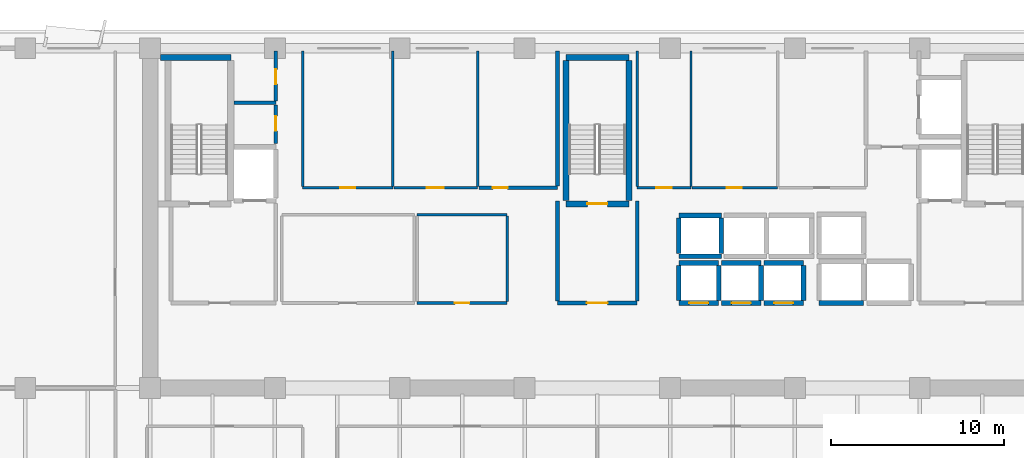
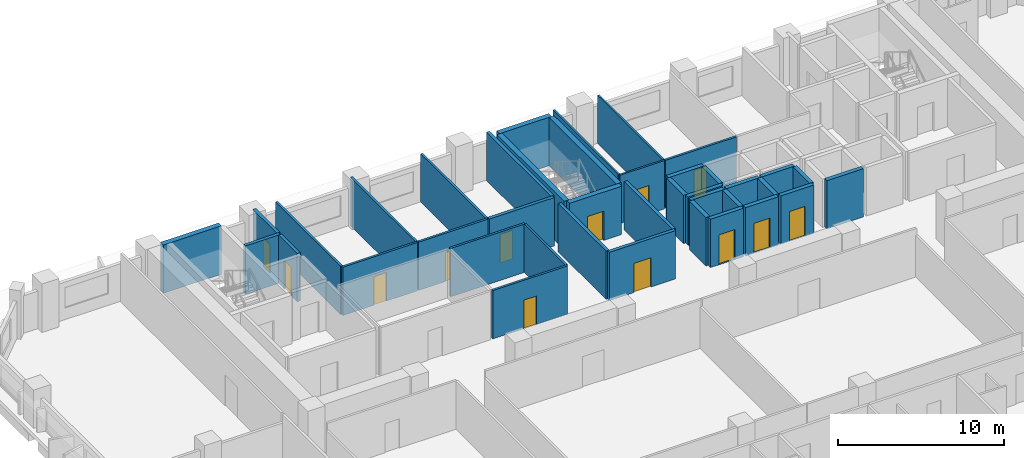
# One storey, part 7 of 15: 40 walls, 13 doors, 13 openings.
"""IFC4 building model written with IfcOpenShell, lengths in metres."""

from ifc_helpers import new_model, si_unit, direction, frame, frame_2d, origin, place, context, subcontext, project, spatial, rectangle, extrude, material, layer, layer_set, type_object, element, fill, save


model = new_model("IFC4")

# Units and contexts
model_context = context("Model", 3, precision=1e-05, world=origin(), true_north=direction((0.0, 1.0)))
body_context = subcontext(model_context, "Body", "Model", "MODEL_VIEW")
ifc_project = project(units=[si_unit("LENGTHUNIT", "METRE"), si_unit("AREAUNIT", "SQUARE_METRE"), si_unit("VOLUMEUNIT", "CUBIC_METRE"), si_unit("PLANEANGLEUNIT", "RADIAN"), si_unit("MASSUNIT", "GRAM", prefix="KILO")], contexts=[model_context])

# Site, building, storey
site_placement = place(None, origin())
site = spatial("IfcSite", under=ifc_project, at=site_placement, CompositionType="ELEMENT")
building_placement = place(site_placement, origin())
building = spatial("IfcBuilding", under=site, at=building_placement, Name="Kaelvorn Grand Hotel", CompositionType="ELEMENT")
storey_placement = place(building_placement, frame((0.0, 0.0, 150.550048828125)))
storey = spatial("IfcBuildingStorey", under=building, at=storey_placement, Name="L36", CompositionType="ELEMENT", Elevation=150.550048828125)

# Wall, opening, door
ifc_material_1 = material(Name="Moisture-Resistant Tile & Stud Board")
ifc_layer_1 = layer(ifc_material_1, 0.125)
ifc_layer_set_1 = layer_set([ifc_layer_1], Name="Moisture-Resistant Tile & Stud Board")
wall_type_1 = type_object("IfcWallType", Name="WL-PART-125-WET", PredefinedType="PARTITIONING", material=ifc_layer_set_1)
wall_1_placement = place(storey_placement, frame((44.300048828125, 40.949951171875, 0.0), z_axis=(0.0, 0.0, 1.0), x_axis=(1.0, 0.0, 0.0)))
wall_1 = element("IfcWall", 1, at=wall_1_placement, inside=storey, type_object=wall_type_1, Name="L36 Accessible WC S Partition", PredefinedType="PARTITIONING", context=body_context, shape_type="SweptSolid", body=[
    extrude(rectangle(XDim=3.099853515625, YDim=0.125, at=frame_2d((1.5498046875, 0.0))), origin(), (0.0, 0.0, 1.0), 3.56005859375),
])
opening_1_placement = place(wall_1_placement, frame((1.10009765625, 0.0, 0.0)))
opening_1 = element("IfcOpeningElement", 2, at=opening_1_placement, cuts=wall_1, Name="Opening DI4", PredefinedType="OPENING", context=body_context, shape_type="SweptSolid", body=[
    extrude(rectangle(XDim=0.89990234375, YDim=2.10009765625, at=frame_2d((0.449951171875, 1.050048828125))), frame((0.0, 0.072509765625, 0.0), z_axis=(0.0, -1.0, 0.0), x_axis=(1.0, 0.0, 0.0)), (0.0, 0.0, 1.0), 0.14501953125),
])
ifc_material_2 = material(Name="Timber Veneer Leaf", Category="wood")
door_type_1 = type_object("IfcDoorType", Name="DR-INT-BATH-900x2100", OperationType="NOTDEFINED", PredefinedType="DOOR", material=ifc_material_2)
door_1_placement = place(opening_1_placement, origin())
door_1 = element("IfcDoor", 3, at=door_1_placement, inside=storey, type_object=door_type_1, Name="L36 Accessible WC Door", OperationType="SINGLE_SWING_LEFT", OverallHeight=2.10009765625, OverallWidth=0.89990234375, PredefinedType="DOOR", context=body_context, shape_type="SweptSolid", body=[
    extrude(rectangle(XDim=0.89990234375, YDim=2.10009765625, at=frame_2d((0.449951171875, 1.050048828125))), frame((0.0, 0.02490234375, 0.0), z_axis=(0.0, -1.0, 0.0), x_axis=(1.0, 0.0, 0.0)), (0.0, 0.0, 1.0), 0.050048828125),
])
fill(opening_1, door_1)

# Walls
for number, where, z_axis, x_axis, name in (
    (4, (44.300048828125, 41.017578125, 0.0), (0.0, 0.0, 1.0), (0.0, 1.0, 0.0), "L36 Accessible WC W Partition"),
    (5, (47.39990234375, 41.017578125, 0.0), (0.0, 0.0, 1.0), (0.0, 1.0, 0.0), "L36 Accessible WC E Partition"),
):
    element("IfcWall", number, at=place(storey_placement, frame(where, z_axis=z_axis, x_axis=x_axis)), inside=storey, type_object=wall_type_1, Name=name, PredefinedType="PARTITIONING", context=body_context, shape_type="SweptSolid", body=[
        extrude(rectangle(XDim=7.83251953125, YDim=0.125, at=frame_2d((3.916259765625, 0.0))), origin(), (0.0, 0.0, 1.0), 3.56005859375),
    ])

# Wall, opening, door
ifc_material_3 = material(Name="Acoustic Gypsum & Stud Partition")
ifc_layer_2 = layer(ifc_material_3, 0.14990234375)
ifc_layer_set_2 = layer_set([ifc_layer_2], Name="Acoustic Gypsum & Stud Partition")
wall_type_2 = type_object("IfcWallType", Name="WL-PART-150-EI60", PredefinedType="PARTITIONING", material=ifc_layer_set_2)
wall_2_placement = place(storey_placement, frame((31.60009765625, 34.300048828125, 0.0), z_axis=(0.0, 0.0, 1.0), x_axis=(1.0, 0.0, 0.0)))
wall_2 = element("IfcWall", 6, at=wall_2_placement, inside=storey, type_object=wall_type_2, Name="L36 Core Telecoms & BMS Server Room S Partition", PredefinedType="PARTITIONING", context=body_context, shape_type="SweptSolid", body=[
    extrude(rectangle(XDim=5.199951171875, YDim=0.14990234375, at=frame_2d((2.60009765625, 0.0))), origin(), (0.0, 0.0, 1.0), 3.56005859375),
])
opening_2_placement = place(wall_2_placement, frame((2.175048828125, 0.0, 0.0)))
opening_2 = element("IfcOpeningElement", 7, at=opening_2_placement, cuts=wall_2, Name="Opening DI7", PredefinedType="OPENING", context=body_context, shape_type="SweptSolid", body=[
    extrude(rectangle(XDim=0.85009765625, YDim=2.10009765625, at=frame_2d((0.425048828125, 1.050048828125))), frame((0.0, 0.0849609375, 0.0), z_axis=(0.0, -1.0, 0.0), x_axis=(1.0, 0.0, 0.0)), (0.0, 0.0, 1.0), 0.169921875),
])
ifc_material_4 = material(Name="Powder-Coated Steel Leaf", Category="steel")
door_type_2 = type_object("IfcDoorType", Name="DR-INT-RISER-850x2100", OperationType="NOTDEFINED", PredefinedType="DOOR", material=ifc_material_4)
door_2_placement = place(opening_2_placement, origin())
door_2 = element("IfcDoor", 8, at=door_2_placement, inside=storey, type_object=door_type_2, Name="L36 Core Telecoms & BMS Server Room Door", OperationType="SINGLE_SWING_RIGHT", OverallHeight=2.10009765625, OverallWidth=0.85009765625, PredefinedType="DOOR", context=body_context, shape_type="SweptSolid", body=[
    extrude(rectangle(XDim=0.85009765625, YDim=2.10009765625, at=frame_2d((0.425048828125, 1.050048828125))), frame((0.0, 0.02490234375, 0.0), z_axis=(0.0, -1.0, 0.0), x_axis=(1.0, 0.0, 0.0)), (0.0, 0.0, 1.0), 0.050048828125),
])
fill(opening_2, door_2)

# Walls
wall_3_placement = place(storey_placement, frame((31.60009765625, 39.39990234375, 0.0), z_axis=(0.0, 0.0, 1.0), x_axis=(1.0, 0.0, 0.0)))
element("IfcWall", 9, at=wall_3_placement, inside=storey, type_object=wall_type_2, Name="L36 Core Telecoms & BMS Server Room N Partition", PredefinedType="PARTITIONING", context=body_context, shape_type="SweptSolid", body=[
    extrude(rectangle(XDim=5.199951171875, YDim=0.14990234375, at=frame_2d((2.60009765625, 0.0))), origin(), (0.0, 0.0, 1.0), 3.56005859375),
])
wall_4_placement = place(storey_placement, frame((36.800048828125, 34.3798828125, 0.0), z_axis=(0.0, 0.0, 1.0), x_axis=(0.0, 1.0, 0.0)))
element("IfcWall", 10, at=wall_4_placement, inside=storey, type_object=wall_type_2, Name="L36 Core Telecoms & BMS Server Room E Partition", PredefinedType="PARTITIONING", context=body_context, shape_type="SweptSolid", body=[
    extrude(rectangle(XDim=4.940185546875, YDim=0.14990234375, at=frame_2d((2.47021484375, 0.0))), origin(), (0.0, 0.0, 1.0), 3.56005859375),
])

# Wall, opening, door
wall_5_placement = place(storey_placement, frame((25.0, 40.949951171875, 0.0), z_axis=(0.0, 0.0, 1.0), x_axis=(1.0, 0.0, 0.0)))
wall_5 = element("IfcWall", 11, at=wall_5_placement, inside=storey, type_object=wall_type_2, Name="L36 Housekeeping & Linen Room S Partition", PredefinedType="PARTITIONING", context=body_context, shape_type="SweptSolid", body=[
    extrude(rectangle(XDim=5.199951171875, YDim=0.14990234375, at=frame_2d((2.60009765625, 0.0))), origin(), (0.0, 0.0, 1.0), 3.56005859375),
])
opening_3_placement = place(wall_5_placement, frame((2.175048828125, 0.0, 0.0)))
opening_3 = element("IfcOpeningElement", 12, at=opening_3_placement, cuts=wall_5, Name="Opening DI7", PredefinedType="OPENING", context=body_context, shape_type="SweptSolid", body=[
    extrude(rectangle(XDim=0.85009765625, YDim=2.10009765625, at=frame_2d((0.425048828125, 1.050048828125))), frame((0.0, 0.0849609375, 0.0), z_axis=(0.0, -1.0, 0.0), x_axis=(1.0, 0.0, 0.0)), (0.0, 0.0, 1.0), 0.169921875),
])
door_3_placement = place(opening_3_placement, origin())
door_3 = element("IfcDoor", 13, at=door_3_placement, inside=storey, type_object=door_type_2, Name="L36 Housekeeping & Linen Room Door", OperationType="SINGLE_SWING_RIGHT", OverallHeight=2.10009765625, OverallWidth=0.85009765625, PredefinedType="DOOR", context=body_context, shape_type="SweptSolid", body=[
    extrude(rectangle(XDim=0.85009765625, YDim=2.10009765625, at=frame_2d((0.425048828125, 1.050048828125))), frame((0.0, 0.02490234375, 0.0), z_axis=(0.0, -1.0, 0.0), x_axis=(1.0, 0.0, 0.0)), (0.0, 0.0, 1.0), 0.050048828125),
])
fill(opening_3, door_3)

# Walls
for number, where, z_axis, x_axis, name in (
    (14, (25.0, 41.030029296875, 0.0), (0.0, 0.0, 1.0), (0.0, 1.0, 0.0), "L36 Housekeeping & Linen Room W Partition"),
    (15, (30.199951171875, 41.030029296875, 0.0), (0.0, 0.0, 1.0), (0.0, 1.0, 0.0), "L36 Housekeeping & Linen Room E Partition"),
):
    element("IfcWall", number, at=place(storey_placement, frame(where, z_axis=z_axis, x_axis=x_axis)), inside=storey, type_object=wall_type_2, Name=name, PredefinedType="PARTITIONING", context=body_context, shape_type="SweptSolid", body=[
        extrude(rectangle(XDim=7.820068359375, YDim=0.14990234375, at=frame_2d((3.91015625, 0.0))), origin(), (0.0, 0.0, 1.0), 3.56005859375),
    ])

# Wall, opening, door
wall_6_placement = place(storey_placement, frame((30.280029296875, 40.949951171875, 0.0), z_axis=(0.0, 0.0, 1.0), x_axis=(1.0, 0.0, 0.0)))
wall_6 = element("IfcWall", 16, at=wall_6_placement, inside=storey, type_object=wall_type_2, Name="L36 Room Service Servery Pantry S Partition", PredefinedType="PARTITIONING", context=body_context, shape_type="SweptSolid", body=[
    extrude(rectangle(XDim=4.820068359375, YDim=0.14990234375, at=frame_2d((2.41015625, 0.0))), origin(), (0.0, 0.0, 1.0), 3.56005859375),
])
opening_4_placement = place(wall_6_placement, frame((1.8701171875, 0.0, 0.0)))
opening_4 = element("IfcOpeningElement", 17, at=opening_4_placement, cuts=wall_6, Name="Opening DI3", PredefinedType="OPENING", context=body_context, shape_type="SweptSolid", body=[
    extrude(rectangle(XDim=1.0, YDim=2.14990234375, at=frame_2d((0.5, 1.074951171875))), frame((0.0, 0.0849609375, 0.0), z_axis=(0.0, -1.0, 0.0), x_axis=(1.0, 0.0, 0.0)), (0.0, 0.0, 1.0), 0.169921875),
])
ifc_material_5 = material(Name="Timber Veneer Fire Leaf", Category="wood")
door_type_3 = type_object("IfcDoorType", Name="DR-INT-GUEST-1000x2150", OperationType="NOTDEFINED", PredefinedType="DOOR", material=ifc_material_5)
door_4_placement = place(opening_4_placement, origin())
door_4 = element("IfcDoor", 18, at=door_4_placement, inside=storey, type_object=door_type_3, Name="L36 Room Service Servery Pantry Door", OperationType="SINGLE_SWING_LEFT", OverallHeight=2.14990234375, OverallWidth=1.0, PredefinedType="DOOR", context=body_context, shape_type="SweptSolid", body=[
    extrude(rectangle(XDim=1.0, YDim=2.14990234375, at=frame_2d((0.5, 1.074951171875))), frame((0.0, 0.02490234375, 0.0), z_axis=(0.0, -1.0, 0.0), x_axis=(1.0, 0.0, 0.0)), (0.0, 0.0, 1.0), 0.050048828125),
])
fill(opening_4, door_4)

# Wall
wall_7_placement = place(storey_placement, frame((35.10009765625, 41.030029296875, 0.0), z_axis=(0.0, 0.0, 1.0), x_axis=(0.0, 1.0, 0.0)))
element("IfcWall", 19, at=wall_7_placement, inside=storey, type_object=wall_type_2, Name="L36 Room Service Servery Pantry E Partition", PredefinedType="PARTITIONING", context=body_context, shape_type="SweptSolid", body=[
    extrude(rectangle(XDim=7.820068359375, YDim=0.14990234375, at=frame_2d((3.91015625, 0.0))), origin(), (0.0, 0.0, 1.0), 3.56005859375),
])

# Wall, opening, door
wall_8_placement = place(storey_placement, frame((47.467529296875, 40.949951171875, 0.0), z_axis=(0.0, 0.0, 1.0), x_axis=(1.0, 0.0, 0.0)))
wall_8 = element("IfcWall", 20, at=wall_8_placement, inside=storey, type_object=wall_type_2, Name="L36 Valet & Luggage Store S Partition", PredefinedType="PARTITIONING", context=body_context, shape_type="SweptSolid", body=[
    extrude(rectangle(XDim=4.932373046875, YDim=0.14990234375, at=frame_2d((2.46630859375, 0.0))), origin(), (0.0, 0.0, 1.0), 3.56005859375),
])
opening_5_placement = place(wall_8_placement, frame((2.007568359375, 0.0, 0.0)))
opening_5 = element("IfcOpeningElement", 21, at=opening_5_placement, cuts=wall_8, Name="Opening DI7", PredefinedType="OPENING", context=body_context, shape_type="SweptSolid", body=[
    extrude(rectangle(XDim=0.85009765625, YDim=2.10009765625, at=frame_2d((0.425048828125, 1.050048828125))), frame((0.0, 0.0849609375, 0.0), z_axis=(0.0, -1.0, 0.0), x_axis=(1.0, 0.0, 0.0)), (0.0, 0.0, 1.0), 0.169921875),
])
door_5_placement = place(opening_5_placement, origin())
door_5 = element("IfcDoor", 22, at=door_5_placement, inside=storey, type_object=door_type_2, Name="L36 Valet & Luggage Store Door", OperationType="SINGLE_SWING_RIGHT", OverallHeight=2.10009765625, OverallWidth=0.85009765625, PredefinedType="DOOR", context=body_context, shape_type="SweptSolid", body=[
    extrude(rectangle(XDim=0.85009765625, YDim=2.10009765625, at=frame_2d((0.425048828125, 1.050048828125))), frame((0.0, 0.02490234375, 0.0), z_axis=(0.0, -1.0, 0.0), x_axis=(1.0, 0.0, 0.0)), (0.0, 0.0, 1.0), 0.050048828125),
])
fill(opening_5, door_5)

ifc_material_6 = material(Name="Concrete C40/50", Category="concrete")
ifc_layer_3 = layer(ifc_material_6, 0.219970703125)
ifc_layer_set_3 = layer_set([ifc_layer_3], Name="Concrete C40/50")
wall_type_3 = type_object("IfcWallType", Name="WL-PART-220-EI120", PredefinedType="PARTITIONING", material=ifc_layer_set_3)
wall_9_placement = place(storey_placement, frame((39.699951171875, 34.300048828125, 0.0), z_axis=(0.0, 0.0, 1.0), x_axis=(1.0, 0.0, 0.0)))
wall_9 = element("IfcWall", 23, at=wall_9_placement, inside=storey, type_object=wall_type_3, Name="L36 Central Stair Escape Vestibule S Partition", PredefinedType="PARTITIONING", context=body_context, shape_type="SweptSolid", body=[
    extrude(rectangle(XDim=4.60009765625, YDim=0.219970703125, at=frame_2d((2.300048828125, 0.0))), origin(), (0.0, 0.0, 1.0), 3.56005859375),
])
opening_6_placement = place(wall_9_placement, frame((1.699951171875, 0.0, 0.0)))
opening_6 = element("IfcOpeningElement", 24, at=opening_6_placement, cuts=wall_9, Name="Opening DI2", PredefinedType="OPENING", context=body_context, shape_type="SweptSolid", body=[
    extrude(rectangle(XDim=1.199951171875, YDim=2.14990234375, at=frame_2d((0.60009765625, 1.074951171875))), frame((0.0, 0.1201171875, 0.0), z_axis=(0.0, -1.0, 0.0), x_axis=(1.0, 0.0, 0.0)), (0.0, 0.0, 1.0), 0.239990234375),
])
door_type_4 = type_object("IfcDoorType", Name="DR-INT-FFLOB-1200x2150", OperationType="NOTDEFINED", PredefinedType="DOOR", material=ifc_material_5)
door_6_placement = place(opening_6_placement, origin())
door_6 = element("IfcDoor", 25, at=door_6_placement, inside=storey, type_object=door_type_4, Name="L36 Central Stair Escape Vestibule Door", OperationType="SINGLE_SWING_RIGHT", OverallHeight=2.14990234375, OverallWidth=1.199951171875, PredefinedType="DOOR", context=body_context, shape_type="SweptSolid", body=[
    extrude(rectangle(XDim=1.199951171875, YDim=2.14990234375, at=frame_2d((0.60009765625, 1.074951171875))), frame((0.0, 0.02490234375, 0.0), z_axis=(0.0, -1.0, 0.0), x_axis=(1.0, 0.0, 0.0)), (0.0, 0.0, 1.0), 0.050048828125),
])
fill(opening_6, door_6)

# Walls
for number, where, z_axis, x_axis, name in (
    (26, (39.699951171875, 34.4150390625, 0.0), (0.0, 0.0, 1.0), (0.0, 1.0, 0.0), "L36 Central Stair Escape Vestibule W Partition"),
    (27, (44.300048828125, 34.4150390625, 0.0), (0.0, 0.0, 1.0), (0.0, 1.0, 0.0), "L36 Central Stair Escape Vestibule E Partition"),
):
    element("IfcWall", number, at=place(storey_placement, frame(where, z_axis=z_axis, x_axis=x_axis)), inside=storey, type_object=wall_type_3, Name=name, PredefinedType="PARTITIONING", context=body_context, shape_type="SweptSolid", body=[
        extrude(rectangle(XDim=5.784912109375, YDim=0.219970703125, at=frame_2d((2.892578125, 0.0))), origin(), (0.0, 0.0, 1.0), 3.56005859375),
    ])
wall_10_placement = place(storey_placement, frame((21.034912109375, 45.85009765625, 0.0), z_axis=(0.0, 0.0, 1.0), x_axis=(1.0, 0.0, 0.0)))
element("IfcWall", 28, at=wall_10_placement, inside=storey, type_object=wall_type_3, Name="L36 Wet Fire & Plumbing Riser Shaft N Partition", PredefinedType="PARTITIONING", context=body_context, shape_type="SweptSolid", body=[
    extrude(rectangle(XDim=2.4150390625, YDim=0.219970703125, at=frame_2d((1.20751953125, 0.0))), origin(), (0.0, 0.0, 1.0), 3.56005859375),
])

# Wall, opening, door
wall_11_placement = place(storey_placement, frame((23.449951171875, 43.5, 0.0), z_axis=(0.0, 0.0, 1.0), x_axis=(0.0, 1.0, 0.0)))
wall_11 = element("IfcWall", 29, at=wall_11_placement, inside=storey, type_object=wall_type_3, Name="L36 Wet Fire & Plumbing Riser Shaft E Partition", PredefinedType="PARTITIONING", context=body_context, shape_type="SweptSolid", body=[
    extrude(rectangle(XDim=2.235107421875, YDim=0.219970703125, at=frame_2d((1.11767578125, 0.0))), origin(), (0.0, 0.0, 1.0), 3.56005859375),
])
opening_7_placement = place(wall_11_placement, frame((0.72509765625, 0.0, 0.0)))
opening_7 = element("IfcOpeningElement", 30, at=opening_7_placement, cuts=wall_11, Name="Opening DI7", PredefinedType="OPENING", context=body_context, shape_type="SweptSolid", body=[
    extrude(rectangle(XDim=0.85009765625, YDim=2.10009765625, at=frame_2d((0.425048828125, 1.050048828125))), frame((0.0, 0.1201171875, 0.0), z_axis=(0.0, -1.0, 0.0), x_axis=(1.0, 0.0, 0.0)), (0.0, 0.0, 1.0), 0.239990234375),
])
door_7_placement = place(opening_7_placement, origin())
door_7 = element("IfcDoor", 31, at=door_7_placement, inside=storey, type_object=door_type_2, Name="L36 Wet Fire & Plumbing Riser Shaft Door", OperationType="SINGLE_SWING_RIGHT", OverallHeight=2.10009765625, OverallWidth=0.85009765625, PredefinedType="DOOR", context=body_context, shape_type="SweptSolid", body=[
    extrude(rectangle(XDim=0.85009765625, YDim=2.10009765625, at=frame_2d((0.425048828125, 1.050048828125))), frame((0.0, 0.02490234375, 0.0), z_axis=(0.0, -1.0, 0.0), x_axis=(1.0, 0.0, 0.0)), (0.0, 0.0, 1.0), 0.050048828125),
])
fill(opening_7, door_7)

wall_12_placement = place(storey_placement, frame((23.449951171875, 45.965087890625, 0.0), z_axis=(0.0, 0.0, 1.0), x_axis=(0.0, 1.0, 0.0)))
wall_12 = element("IfcWall", 32, at=wall_12_placement, inside=storey, type_object=wall_type_3, Name="L36 HV Electrical & Smoke Riser E Partition", PredefinedType="PARTITIONING", context=body_context, shape_type="SweptSolid", body=[
    extrude(rectangle(XDim=2.885009765625, YDim=0.219970703125, at=frame_2d((1.4423828125, 0.0))), origin(), (0.0, 0.0, 1.0), 3.56005859375),
])
opening_8_placement = place(wall_12_placement, frame((0.9599609375, 0.0, 0.0)))
opening_8 = element("IfcOpeningElement", 33, at=opening_8_placement, cuts=wall_12, Name="Opening DI7", PredefinedType="OPENING", context=body_context, shape_type="SweptSolid", body=[
    extrude(rectangle(XDim=0.85009765625, YDim=2.10009765625, at=frame_2d((0.425048828125, 1.050048828125))), frame((0.0, 0.1201171875, 0.0), z_axis=(0.0, -1.0, 0.0), x_axis=(1.0, 0.0, 0.0)), (0.0, 0.0, 1.0), 0.239990234375),
])
door_8_placement = place(opening_8_placement, origin())
door_8 = element("IfcDoor", 34, at=door_8_placement, inside=storey, type_object=door_type_2, Name="L36 HV Electrical & Smoke Riser Door", OperationType="SINGLE_SWING_LEFT", OverallHeight=2.10009765625, OverallWidth=0.85009765625, PredefinedType="DOOR", context=body_context, shape_type="SweptSolid", body=[
    extrude(rectangle(XDim=0.85009765625, YDim=2.10009765625, at=frame_2d((0.425048828125, 1.050048828125))), frame((0.0, 0.02490234375, 0.0), z_axis=(0.0, -1.0, 0.0), x_axis=(1.0, 0.0, 0.0)), (0.0, 0.0, 1.0), 0.050048828125),
])
fill(opening_8, door_8)

wall_13_placement = place(storey_placement, frame((35.179931640625, 40.949951171875, 0.0), z_axis=(0.0, 0.0, 1.0), x_axis=(1.0, 0.0, 0.0)))
wall_13 = element("IfcWall", 35, at=wall_13_placement, inside=storey, type_object=wall_type_3, Name="L36 Floor Electrical Switchroom S Partition", PredefinedType="PARTITIONING", context=body_context, shape_type="SweptSolid", body=[
    extrude(rectangle(XDim=4.52001953125, YDim=0.219970703125, at=frame_2d((2.260009765625, 0.0))), origin(), (0.0, 0.0, 1.0), 3.56005859375),
])
opening_9_placement = place(wall_13_placement, frame((0.794921875, 0.0, 0.0)))
opening_9 = element("IfcOpeningElement", 36, at=opening_9_placement, cuts=wall_13, Name="Opening DI7", PredefinedType="OPENING", context=body_context, shape_type="SweptSolid", body=[
    extrude(rectangle(XDim=0.85009765625, YDim=2.10009765625, at=frame_2d((0.425048828125, 1.050048828125))), frame((0.0, 0.1201171875, 0.0), z_axis=(0.0, -1.0, 0.0), x_axis=(1.0, 0.0, 0.0)), (0.0, 0.0, 1.0), 0.239990234375),
])
door_9_placement = place(opening_9_placement, origin())
door_9 = element("IfcDoor", 37, at=door_9_placement, inside=storey, type_object=door_type_2, Name="L36 Floor Electrical Switchroom Door", OperationType="SINGLE_SWING_RIGHT", OverallHeight=2.10009765625, OverallWidth=0.85009765625, PredefinedType="DOOR", context=body_context, shape_type="SweptSolid", body=[
    extrude(rectangle(XDim=0.85009765625, YDim=2.10009765625, at=frame_2d((0.425048828125, 1.050048828125))), frame((0.0, 0.02490234375, 0.0), z_axis=(0.0, -1.0, 0.0), x_axis=(1.0, 0.0, 0.0)), (0.0, 0.0, 1.0), 0.050048828125),
])
fill(opening_9, door_9)

# Wall
wall_14_placement = place(storey_placement, frame((39.699951171875, 41.06494140625, 0.0), z_axis=(0.0, 0.0, 1.0), x_axis=(0.0, 1.0, 0.0)))
element("IfcWall", 38, at=wall_14_placement, inside=storey, type_object=wall_type_3, Name="L36 Floor Electrical Switchroom E Partition", PredefinedType="PARTITIONING", context=body_context, shape_type="SweptSolid", body=[
    extrude(rectangle(XDim=7.78515625, YDim=0.219970703125, at=frame_2d((3.892578125, 0.0))), origin(), (0.0, 0.0, 1.0), 3.56005859375),
])

# Wall, opening, door
ifc_material_7 = material(Name="Concrete C50/60", Category="concrete")
ifc_layer_4 = layer(ifc_material_7, 0.280029296875)
ifc_layer_set_4 = layer_set([ifc_layer_4], Name="Concrete C50/60")
wall_type_4 = type_object("IfcWallType", Name="WL-SHAFT-280-C50", PredefinedType="SHEAR", material=ifc_layer_set_4)
wall_15_placement = place(storey_placement, frame((46.699951171875, 34.300048828125, 0.0), z_axis=(0.0, 0.0, 1.0), x_axis=(1.0, 0.0, 0.0)))
wall_15 = element("IfcWall", 39, at=wall_15_placement, inside=storey, type_object=wall_type_4, Name="L36 Lift PL-M1 Shaft South Wall", PredefinedType="SHEAR", context=body_context, shape_type="SweptSolid", body=[
    extrude(rectangle(XDim=2.300048828125, YDim=0.280029296875, at=frame_2d((1.14990234375, 0.0))), origin(), (0.0, 0.0, 1.0), 3.56005859375),
])
opening_10_placement = place(wall_15_placement, frame((0.60009765625, 0.0, 0.0)))
opening_10 = element("IfcOpeningElement", 40, at=opening_10_placement, cuts=wall_15, Name="Opening LD-PL-M1", PredefinedType="OPENING", context=body_context, shape_type="SweptSolid", body=[
    extrude(rectangle(XDim=1.10009765625, YDim=2.199951171875, at=frame_2d((0.550048828125, 1.10009765625))), frame((0.0, 0.14990234375, 0.0), z_axis=(0.0, -1.0, 0.0), x_axis=(1.0, 0.0, 0.0)), (0.0, 0.0, 1.0), 0.300048828125),
])
ifc_material_8 = material(Name="Stainless Steel", Category="steel")
door_type_5 = type_object("IfcDoorType", Name="DR-LIFT-PASS-1100x2200", OperationType="DOUBLE_DOOR_SLIDING", PredefinedType="DOOR", material=ifc_material_8)
door_10_placement = place(opening_10_placement, origin())
door_10 = element("IfcDoor", 41, at=door_10_placement, inside=storey, type_object=door_type_5, Name="L36 Lift PL-M1 Sliding Landing Door LD-PL-M1", OperationType="DOUBLE_DOOR_SLIDING", OverallHeight=2.199951171875, OverallWidth=1.10009765625, PredefinedType="DOOR", context=body_context, shape_type="SweptSolid", body=[
    extrude(rectangle(XDim=1.10009765625, YDim=2.199951171875, at=frame_2d((0.550048828125, 1.10009765625))), frame((0.0, 0.02490234375, 0.0), z_axis=(0.0, -1.0, 0.0), x_axis=(1.0, 0.0, 0.0)), (0.0, 0.0, 1.0), 0.050048828125),
])
fill(opening_10, door_10)

# Walls
wall_16_placement = place(storey_placement, frame((46.699951171875, 36.60009765625, 0.0), z_axis=(0.0, 0.0, 1.0), x_axis=(1.0, 0.0, 0.0)))
element("IfcWall", 42, at=wall_16_placement, inside=storey, type_object=wall_type_4, Name="L36 Lift PL-M1 Shaft North Wall", PredefinedType="SHEAR", context=body_context, shape_type="SweptSolid", body=[
    extrude(rectangle(XDim=2.300048828125, YDim=0.280029296875, at=frame_2d((1.14990234375, 0.0))), origin(), (0.0, 0.0, 1.0), 3.56005859375),
])
for number, where, z_axis, x_axis, name in (
    (43, (46.699951171875, 34.445068359375, 0.0), (0.0, 0.0, 1.0), (0.0, 1.0, 0.0), "L36 Lift PL-M1 Shaft West Wall"),
    (44, (49.0, 34.445068359375, 0.0), (0.0, 0.0, 1.0), (0.0, 1.0, 0.0), "L36 Lift PL-M1 Shaft East Wall"),
):
    element("IfcWall", number, at=place(storey_placement, frame(where, z_axis=z_axis, x_axis=x_axis)), inside=storey, type_object=wall_type_4, Name=name, PredefinedType="SHEAR", context=body_context, shape_type="SweptSolid", body=[
        extrude(rectangle(XDim=2.010009765625, YDim=0.280029296875, at=frame_2d((1.0048828125, 0.0))), origin(), (0.0, 0.0, 1.0), 3.56005859375),
    ])

# Wall, opening, door
wall_17_placement = place(storey_placement, frame((49.14990234375, 34.300048828125, 0.0), z_axis=(0.0, 0.0, 1.0), x_axis=(1.0, 0.0, 0.0)))
wall_17 = element("IfcWall", 45, at=wall_17_placement, inside=storey, type_object=wall_type_4, Name="L36 Lift PL-M2 Shaft South Wall", PredefinedType="SHEAR", context=body_context, shape_type="SweptSolid", body=[
    extrude(rectangle(XDim=2.300048828125, YDim=0.280029296875, at=frame_2d((1.14990234375, 0.0))), origin(), (0.0, 0.0, 1.0), 3.56005859375),
])
opening_11_placement = place(wall_17_placement, frame((0.60009765625, 0.0, 0.0)))
opening_11 = element("IfcOpeningElement", 46, at=opening_11_placement, cuts=wall_17, Name="Opening LD-PL-M2", PredefinedType="OPENING", context=body_context, shape_type="SweptSolid", body=[
    extrude(rectangle(XDim=1.10009765625, YDim=2.199951171875, at=frame_2d((0.550048828125, 1.10009765625))), frame((0.0, 0.14990234375, 0.0), z_axis=(0.0, -1.0, 0.0), x_axis=(1.0, 0.0, 0.0)), (0.0, 0.0, 1.0), 0.300048828125),
])
door_11_placement = place(opening_11_placement, origin())
door_11 = element("IfcDoor", 47, at=door_11_placement, inside=storey, type_object=door_type_5, Name="L36 Lift PL-M2 Sliding Landing Door LD-PL-M2", OperationType="DOUBLE_DOOR_SLIDING", OverallHeight=2.199951171875, OverallWidth=1.10009765625, PredefinedType="DOOR", context=body_context, shape_type="SweptSolid", body=[
    extrude(rectangle(XDim=1.10009765625, YDim=2.199951171875, at=frame_2d((0.550048828125, 1.10009765625))), frame((0.0, 0.02490234375, 0.0), z_axis=(0.0, -1.0, 0.0), x_axis=(1.0, 0.0, 0.0)), (0.0, 0.0, 1.0), 0.050048828125),
])
fill(opening_11, door_11)

# Walls
wall_18_placement = place(storey_placement, frame((49.14990234375, 36.60009765625, 0.0), z_axis=(0.0, 0.0, 1.0), x_axis=(1.0, 0.0, 0.0)))
element("IfcWall", 48, at=wall_18_placement, inside=storey, type_object=wall_type_4, Name="L36 Lift PL-M2 Shaft North Wall", PredefinedType="SHEAR", context=body_context, shape_type="SweptSolid", body=[
    extrude(rectangle(XDim=2.300048828125, YDim=0.280029296875, at=frame_2d((1.14990234375, 0.0))), origin(), (0.0, 0.0, 1.0), 3.56005859375),
])
wall_19_placement = place(storey_placement, frame((51.449951171875, 34.445068359375, 0.0), z_axis=(0.0, 0.0, 1.0), x_axis=(0.0, 1.0, 0.0)))
element("IfcWall", 49, at=wall_19_placement, inside=storey, type_object=wall_type_4, Name="L36 Lift PL-M2 Shaft East Wall", PredefinedType="SHEAR", context=body_context, shape_type="SweptSolid", body=[
    extrude(rectangle(XDim=2.010009765625, YDim=0.280029296875, at=frame_2d((1.0048828125, 0.0))), origin(), (0.0, 0.0, 1.0), 3.56005859375),
])

# Wall, opening, door
wall_20_placement = place(storey_placement, frame((51.60009765625, 34.300048828125, 0.0), z_axis=(0.0, 0.0, 1.0), x_axis=(1.0, 0.0, 0.0)))
wall_20 = element("IfcWall", 50, at=wall_20_placement, inside=storey, type_object=wall_type_4, Name="L36 Lift PL-M3 Shaft South Wall", PredefinedType="SHEAR", context=body_context, shape_type="SweptSolid", body=[
    extrude(rectangle(XDim=2.2998046875, YDim=0.280029296875, at=frame_2d((1.14990234375, 0.0))), origin(), (0.0, 0.0, 1.0), 3.56005859375),
])
opening_12_placement = place(wall_20_placement, frame((0.60009765625, 0.0, 0.0)))
opening_12 = element("IfcOpeningElement", 51, at=opening_12_placement, cuts=wall_20, Name="Opening LD-PL-M3", PredefinedType="OPENING", context=body_context, shape_type="SweptSolid", body=[
    extrude(rectangle(XDim=1.10009765625, YDim=2.199951171875, at=frame_2d((0.550048828125, 1.10009765625))), frame((0.0, 0.14990234375, 0.0), z_axis=(0.0, -1.0, 0.0), x_axis=(1.0, 0.0, 0.0)), (0.0, 0.0, 1.0), 0.300048828125),
])
door_12_placement = place(opening_12_placement, origin())
door_12 = element("IfcDoor", 52, at=door_12_placement, inside=storey, type_object=door_type_5, Name="L36 Lift PL-M3 Sliding Landing Door LD-PL-M3", OperationType="DOUBLE_DOOR_SLIDING", OverallHeight=2.199951171875, OverallWidth=1.10009765625, PredefinedType="DOOR", context=body_context, shape_type="SweptSolid", body=[
    extrude(rectangle(XDim=1.10009765625, YDim=2.199951171875, at=frame_2d((0.550048828125, 1.10009765625))), frame((0.0, 0.02490234375, 0.0), z_axis=(0.0, -1.0, 0.0), x_axis=(1.0, 0.0, 0.0)), (0.0, 0.0, 1.0), 0.050048828125),
])
fill(opening_12, door_12)

# Walls
wall_21_placement = place(storey_placement, frame((51.60009765625, 36.60009765625, 0.0), z_axis=(0.0, 0.0, 1.0), x_axis=(1.0, 0.0, 0.0)))
element("IfcWall", 53, at=wall_21_placement, inside=storey, type_object=wall_type_4, Name="L36 Lift PL-M3 Shaft North Wall", PredefinedType="SHEAR", context=body_context, shape_type="SweptSolid", body=[
    extrude(rectangle(XDim=2.2998046875, YDim=0.280029296875, at=frame_2d((1.14990234375, 0.0))), origin(), (0.0, 0.0, 1.0), 3.56005859375),
])
wall_22_placement = place(storey_placement, frame((53.89990234375, 34.445068359375, 0.0), z_axis=(0.0, 0.0, 1.0), x_axis=(0.0, 1.0, 0.0)))
element("IfcWall", 54, at=wall_22_placement, inside=storey, type_object=wall_type_4, Name="L36 Lift PL-M3 Shaft East Wall", PredefinedType="SHEAR", context=body_context, shape_type="SweptSolid", body=[
    extrude(rectangle(XDim=2.010009765625, YDim=0.280029296875, at=frame_2d((1.0048828125, 0.0))), origin(), (0.0, 0.0, 1.0), 3.56005859375),
])
for number, where, z_axis, x_axis, name in (
    (55, (46.699951171875, 37.0, 0.0), (0.0, 0.0, 1.0), (1.0, 0.0, 0.0), "L36 Lift SL-1 Shaft South Wall"),
    (56, (46.699951171875, 39.35009765625, 0.0), (0.0, 0.0, 1.0), (1.0, 0.0, 0.0), "L36 Lift SL-1 Shaft North Wall"),
):
    element("IfcWall", number, at=place(storey_placement, frame(where, z_axis=z_axis, x_axis=x_axis)), inside=storey, type_object=wall_type_4, Name=name, PredefinedType="SHEAR", context=body_context, shape_type="SweptSolid", body=[
        extrude(rectangle(XDim=2.449951171875, YDim=0.280029296875, at=frame_2d((1.22509765625, 0.0))), origin(), (0.0, 0.0, 1.0), 3.56005859375),
    ])
for number, where, z_axis, x_axis, name in (
    (57, (46.699951171875, 37.14501953125, 0.0), (0.0, 0.0, 1.0), (0.0, 1.0, 0.0), "L36 Lift SL-1 Shaft West Wall"),
    (58, (49.14990234375, 37.14501953125, 0.0), (0.0, 0.0, 1.0), (0.0, 1.0, 0.0), "L36 Lift SL-1 Shaft East Wall"),
):
    element("IfcWall", number, at=place(storey_placement, frame(where, z_axis=z_axis, x_axis=x_axis)), inside=storey, type_object=wall_type_4, Name=name, PredefinedType="SHEAR", context=body_context, shape_type="SweptSolid", body=[
        extrude(rectangle(XDim=2.06005859375, YDim=0.280029296875, at=frame_2d((1.030029296875, 0.0))), origin(), (0.0, 0.0, 1.0), 3.56005859375),
    ])
wall_23_placement = place(storey_placement, frame((54.800048828125, 34.300048828125, 0.0), z_axis=(0.0, 0.0, 1.0), x_axis=(1.0, 0.0, 0.0)))
element("IfcWall", 59, at=wall_23_placement, inside=storey, type_object=wall_type_4, Name="L36 Lift OL-1 Shaft South Wall", PredefinedType="SHEAR", context=body_context, shape_type="SweptSolid", body=[
    extrude(rectangle(XDim=2.550048828125, YDim=0.280029296875, at=frame_2d((1.27490234375, 0.0))), origin(), (0.0, 0.0, 1.0), 3.56005859375),
])
ifc_material_9 = material(Name="Concrete C60/75", Category="concrete")
ifc_layer_5 = layer(ifc_material_9, 0.35009765625)
ifc_layer_set_5 = layer_set([ifc_layer_5], Name="Concrete C60/75")
wall_type_5 = type_object("IfcWallType", Name="WL-SHAFT-350-C60", PredefinedType="SHEAR", material=ifc_layer_set_5)
wall_24_placement = place(storey_placement, frame((16.804931640625, 48.47509765625, 0.0), z_axis=(0.0, 0.0, 1.0), x_axis=(1.0, 0.0, 0.0)))
element("IfcWall", 60, at=wall_24_placement, inside=storey, type_object=wall_type_5, Name="L36 ST1 Stair Shaft North Wall", PredefinedType="SHEAR", context=body_context, shape_type="SweptSolid", body=[
    extrude(rectangle(XDim=4.050048828125, YDim=0.35009765625, at=frame_2d((2.02490234375, 0.0))), origin(), (0.0, 0.0, 1.0), 3.56005859375),
])

# Wall, opening, door
wall_25_placement = place(storey_placement, frame((40.18505859375, 40.02490234375, 0.0), z_axis=(0.0, 0.0, 1.0), x_axis=(1.0, 0.0, 0.0)))
wall_25 = element("IfcWall", 61, at=wall_25_placement, inside=storey, type_object=wall_type_5, Name="L36 ST2 Stair Shaft South Wall", PredefinedType="SHEAR", context=body_context, shape_type="SweptSolid", body=[
    extrude(rectangle(XDim=3.6298828125, YDim=0.35009765625, at=frame_2d((1.81494140625, 0.0))), origin(), (0.0, 0.0, 1.0), 3.56005859375),
])
opening_13_placement = place(wall_25_placement, frame((1.239990234375, 0.0, 0.0)))
opening_13 = element("IfcOpeningElement", 62, at=opening_13_placement, cuts=wall_25, Name="Opening DI1", PredefinedType="OPENING", context=body_context, shape_type="SweptSolid", body=[
    extrude(rectangle(XDim=1.14990234375, YDim=2.14990234375, at=frame_2d((0.574951171875, 1.074951171875))), frame((0.0, 0.18505859375, 0.0), z_axis=(0.0, -1.0, 0.0), x_axis=(1.0, 0.0, 0.0)), (0.0, 0.0, 1.0), 0.3701171875),
])
door_type_6 = type_object("IfcDoorType", Name="DR-INT-STAIR-1150x2150", OperationType="NOTDEFINED", PredefinedType="DOOR", material=ifc_material_5)
door_13_placement = place(opening_13_placement, origin())
door_13 = element("IfcDoor", 63, at=door_13_placement, inside=storey, type_object=door_type_6, Name="L36 ST2 Exit Stair Fire Door", OperationType="SINGLE_SWING_RIGHT", OverallHeight=2.14990234375, OverallWidth=1.14990234375, PredefinedType="DOOR", context=body_context, shape_type="SweptSolid", body=[
    extrude(rectangle(XDim=1.14990234375, YDim=2.14990234375, at=frame_2d((0.574951171875, 1.074951171875))), frame((0.0, 0.02490234375, 0.0), z_axis=(0.0, -1.0, 0.0), x_axis=(1.0, 0.0, 0.0)), (0.0, 0.0, 1.0), 0.050048828125),
])
fill(opening_13, door_13)

# Walls
wall_26_placement = place(storey_placement, frame((40.18505859375, 48.47509765625, 0.0), z_axis=(0.0, 0.0, 1.0), x_axis=(1.0, 0.0, 0.0)))
element("IfcWall", 64, at=wall_26_placement, inside=storey, type_object=wall_type_5, Name="L36 ST2 Stair Shaft North Wall", PredefinedType="SHEAR", context=body_context, shape_type="SweptSolid", body=[
    extrude(rectangle(XDim=3.6298828125, YDim=0.35009765625, at=frame_2d((1.81494140625, 0.0))), origin(), (0.0, 0.0, 1.0), 3.56005859375),
])
for number, where, z_axis, x_axis, name in (
    (65, (40.18505859375, 40.205078125, 0.0), (0.0, 0.0, 1.0), (0.0, 1.0, 0.0), "L36 ST2 Stair Shaft West Wall"),
    (66, (43.81494140625, 40.205078125, 0.0), (0.0, 0.0, 1.0), (0.0, 1.0, 0.0), "L36 ST2 Stair Shaft East Wall"),
):
    element("IfcWall", number, at=place(storey_placement, frame(where, z_axis=z_axis, x_axis=x_axis)), inside=storey, type_object=wall_type_5, Name=name, PredefinedType="SHEAR", context=body_context, shape_type="SweptSolid", body=[
        extrude(rectangle(XDim=8.08984375, YDim=0.35009765625, at=frame_2d((4.044921875, 0.0))), origin(), (0.0, 0.0, 1.0), 3.56005859375),
    ])

save(model, "model.ifc")
